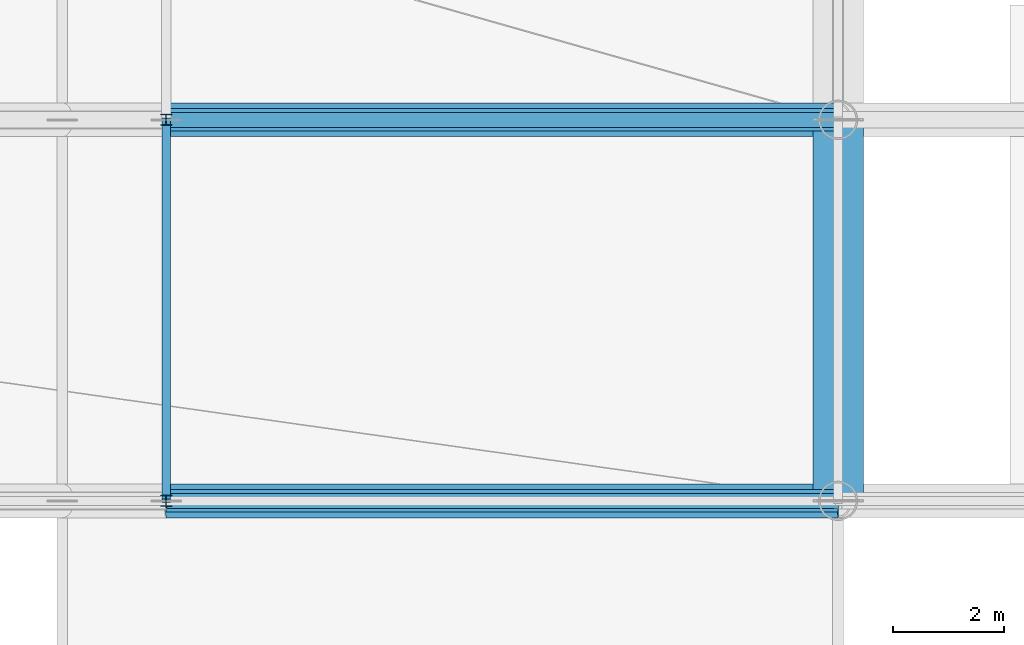
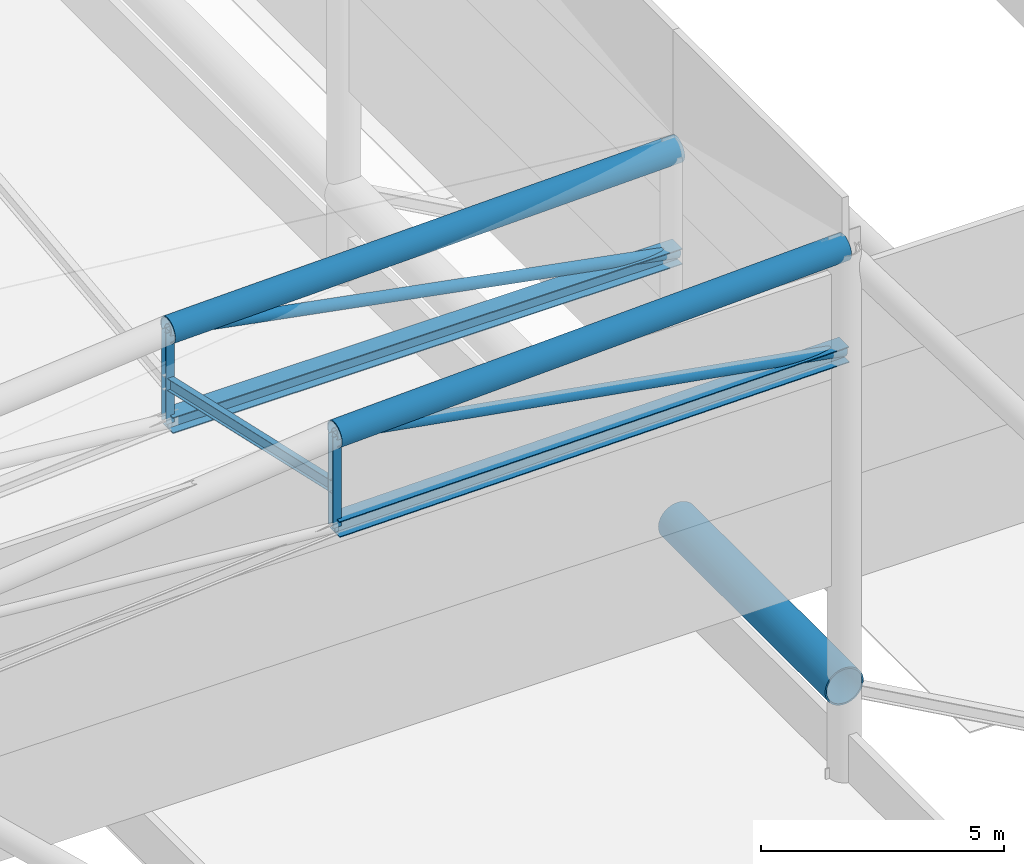
# One storey, part 36 of 113: 9 members, 1 beam.
"""IFC4 building model written with IfcOpenShell, lengths in metres."""

import ifcopenshell
import ifcopenshell.guid

model = None  # the IFC model being written
_history = None  # IfcOwnerHistory: only IFC2X3 demands one
_inside = {}  # id of a spatial element -> (the spatial element, [elements in it])
_under = {}  # id of a project, library or spatial element -> (it, [spatial elements below it])
_declared = {}  # id of a project -> (the project, [libraries it declares])
_typed = {}  # id of a type object -> (the type object, [elements of that type])
_made_of = {}  # id of a material, layer set ... -> (it, [elements and type objects made of it])


def new_model(schema):
    """Start an empty IFC model of exactly this schema.

    Asked for "IFC4X3", IfcOpenShell would pick the latest addendum, in which some entities
    have other attributes; the version numbers below select the first issue.
    IFC2X3 requires an IfcOwnerHistory on every rooted entity: one is made here for all.
    """
    global model, _history
    if schema == "IFC4X3":
        model = ifcopenshell.file(schema_version=(4, 3, 0, 0))
    else:
        model = ifcopenshell.file(schema=schema)
    _inside.clear()
    _under.clear()
    _declared.clear()
    _typed.clear()
    _made_of.clear()
    _history = None
    if model.schema == "IFC2X3":
        org = make("IfcOrganization", Name="unknown")
        user = make(
            "IfcPersonAndOrganization",
            ThePerson=make("IfcPerson", FamilyName="unknown"),
            TheOrganization=org,
        )
        app = make(
            "IfcApplication",
            ApplicationDeveloper=org,
            Version="unknown",
            ApplicationFullName="unknown",
            ApplicationIdentifier="unknown",
        )
        _history = make(
            "IfcOwnerHistory",
            OwningUser=user,
            OwningApplication=app,
            ChangeAction="ADDED",
            CreationDate=0,
        )
    return model


def make(cls, **values):
    """One entity of the class cls with the attributes given. An attribute that is None is left unset."""
    return model.create_entity(
        cls, **{name: value for name, value in values.items() if value is not None}
    )


def rooted(cls, **values):
    """An entity with a GlobalId (a new one), such as an element, a storey or a relation."""
    return make(cls, GlobalId=ifcopenshell.guid.new(), OwnerHistory=_history, **values)


def si_unit(unit_type, name, prefix=None):
    """IfcSIUnit, for example si_unit("LENGTHUNIT", "METRE", prefix="MILLI")."""
    return make("IfcSIUnit", UnitType=unit_type, Prefix=prefix, Name=name)


def assignment(units):
    """IfcUnitAssignment: the units of a project."""
    return None if units is None else make("IfcUnitAssignment", Units=units)


def point(xyz):
    """IfcCartesianPoint."""
    return None if xyz is None else make("IfcCartesianPoint", Coordinates=xyz)


def direction(xyz):
    """IfcDirection."""
    return None if xyz is None else make("IfcDirection", DirectionRatios=xyz)


def frame(location, z_axis=None, x_axis=None):
    """IfcAxis2Placement3D, a coordinate frame: its origin and axes. An axis left out is left unset."""
    return make(
        "IfcAxis2Placement3D",
        Location=point(location),
        Axis=direction(z_axis),
        RefDirection=direction(x_axis),
    )


def frame_2d(location, x_axis=None):
    """IfcAxis2Placement2D, a coordinate frame in the plane: its origin and x axis."""
    return make(
        "IfcAxis2Placement2D", Location=point(location), RefDirection=direction(x_axis)
    )


def origin():
    """The frame at (0, 0, 0) with its axes left unset."""
    return frame((0.0, 0.0, 0.0))


def origin_2d():
    """The frame at (0, 0) in the plane with its x axis left unset."""
    return frame_2d((0.0, 0.0))


def place(relative_to, where):
    """IfcLocalPlacement: puts the frame where relative to a parent placement (None: the world)."""
    return make(
        "IfcLocalPlacement", PlacementRelTo=relative_to, RelativePlacement=where
    )


def context(
    kind, dimensions, precision=None, world=None, true_north=None, identifier=None
):
    """IfcGeometricRepresentationContext, for example the 3D "Model" context."""
    return make(
        "IfcGeometricRepresentationContext",
        ContextIdentifier=identifier,
        ContextType=kind,
        CoordinateSpaceDimension=dimensions,
        Precision=precision,
        WorldCoordinateSystem=world,
        TrueNorth=true_north,
    )


def subcontext(parent, identifier, kind, view, scale=None):
    """IfcGeometricRepresentationSubContext, for example "Body" below "Model"."""
    return make(
        "IfcGeometricRepresentationSubContext",
        ContextIdentifier=identifier,
        ContextType=kind,
        ParentContext=parent,
        TargetScale=scale,
        TargetView=view,
    )


def project(units=None, contexts=None):
    """IfcProject with its units and contexts."""
    return rooted(
        "IfcProject",
        Name="project",
        RepresentationContexts=contexts,
        UnitsInContext=assignment(units),
    )


def spatial(cls, under=None, at=None, **own):
    """A site, building, storey or space (cls), placed at a placement, below another one or the project."""
    s = rooted(cls, ObjectPlacement=at, **own)
    if under is not None:
        _under.setdefault(under.id(), (under, []))[1].append(s)
    return s


def profile(cls, at=None, kind="AREA", **sizes):
    """A parametric profile (cls). Its sizes go by their IFC names, for example OverallWidth=200.0."""
    return make(cls, ProfileType=kind, Position=at, **sizes)


def hollow_circle(**sizes):
    """IfcCircleHollowProfileDef."""
    return profile("IfcCircleHollowProfileDef", **sizes)


def i_section(**sizes):
    """IfcIShapeProfileDef."""
    return profile("IfcIShapeProfileDef", **sizes)


def extrude(swept, where, along, depth):
    """IfcExtrudedAreaSolid: the profile swept, set in the frame where, extruded along a direction by depth."""
    return make(
        "IfcExtrudedAreaSolid",
        SweptArea=swept,
        Position=where,
        ExtrudedDirection=direction(along),
        Depth=depth,
    )


def shape(context_of_items, identifier, shape_type, items):
    """IfcShapeRepresentation: the items that make up one representation, for example the "Body"."""
    return make(
        "IfcShapeRepresentation",
        ContextOfItems=context_of_items,
        RepresentationIdentifier=identifier,
        RepresentationType=shape_type,
        Items=items,
    )


def material(Name=None, Category=None):
    """IfcMaterial."""
    return make("IfcMaterial", Name=Name, Category=Category)


def material_profile(
    of_material, cross_section, Name=None, Category=None, Priority=None
):
    """IfcMaterialProfile: a cross section and its material."""
    return make(
        "IfcMaterialProfile",
        Name=Name,
        Material=of_material,
        Profile=cross_section,
        Priority=Priority,
        Category=Category,
    )


def profile_set(profiles, Name=None, composite=None):
    """IfcMaterialProfileSet."""
    return make(
        "IfcMaterialProfileSet",
        Name=Name,
        MaterialProfiles=profiles,
        CompositeProfile=composite,
    )


def made_of(thing, what):
    """Note that an element or type object is made of a material, layer set ...; save() writes the relation."""
    if what is not None:
        _made_of.setdefault(what.id(), (what, []))[1].append(thing)
    return thing


def type_object(cls, material=None, **own):
    """A type object (cls), such as IfcWallType, which elements share."""
    return made_of(rooted(cls, **own), material)


def element(
    cls,
    number,
    at=None,
    inside=None,
    cuts=None,
    type_object=None,
    material=None,
    context=None,
    identifier="Body",
    shape_type=None,
    held_by="IfcProductDefinitionShape",
    body=None,
    shapes=None,
    **own,
):
    """One element of the class cls, such as IfcWall. Its Tag is "e" and its number.

    at: its placement. inside: the storey or other place that contains it. cuts: it is an
    opening in that element (IfcRelVoidsElement). A single representation is given by context,
    identifier, shape_type and body (its items); several are given by shapes. held_by: the class
    of the entity that holds the representations. save() writes the other relations.
    """
    e = rooted(cls, Tag="e%d" % number, ObjectPlacement=at, **own)
    if body is not None:
        shapes = [shape(context, identifier, shape_type, body)]
    if shapes is not None:
        e.Representation = make(held_by, Representations=shapes)
    if inside is not None:
        _inside.setdefault(inside.id(), (inside, []))[1].append(e)
    if cuts is not None:
        rooted(
            "IfcRelVoidsElement", RelatingBuildingElement=cuts, RelatedOpeningElement=e
        )
    if type_object is not None:
        _typed.setdefault(type_object.id(), (type_object, []))[1].append(e)
    return made_of(e, material)


def aggregate(whole, parts):
    """IfcRelAggregates: a whole, such as a stair, and the parts it consists of."""
    return rooted("IfcRelAggregates", RelatingObject=whole, RelatedObjects=parts)


def save(model, path):
    """Write the relations noted so far, then the file.

    IfcRelAggregates (storeys below a building ...), IfcRelContainedInSpatialStructure (elements
    in a storey), IfcRelDefinesByType, IfcRelAssociatesMaterial and IfcRelDeclares: one each for
    every whole, place, type object, material and project.
    """
    for whole, parts in _under.values():
        aggregate(whole, parts)
    for where, things in _inside.values():
        rooted(
            "IfcRelContainedInSpatialStructure",
            RelatedElements=things,
            RelatingStructure=where,
        )
    for kind, things in _typed.values():
        rooted("IfcRelDefinesByType", RelatedObjects=things, RelatingType=kind)
    for what, things in _made_of.values():
        rooted("IfcRelAssociatesMaterial", RelatedObjects=things, RelatingMaterial=what)
    for by, libraries in _declared.values():
        rooted("IfcRelDeclares", RelatingContext=by, RelatedDefinitions=libraries)
    model.write(path)


model = new_model("IFC4")

# Units and contexts
model_context = context("Model", 3, precision=1e-05, world=origin(), true_north=direction((0.0, 1.0)))
body_context = subcontext(model_context, "Body", "Model", "MODEL_VIEW")
ifc_project = project(units=[si_unit("LENGTHUNIT", "METRE"), si_unit("AREAUNIT", "SQUARE_METRE"), si_unit("VOLUMEUNIT", "CUBIC_METRE"), si_unit("PLANEANGLEUNIT", "RADIAN"), si_unit("MASSUNIT", "GRAM", prefix="KILO")], contexts=[model_context])

# Site, building, storey
site_placement = place(None, origin())
site = spatial("IfcSite", under=ifc_project, at=site_placement, CompositionType="ELEMENT")
building_placement = place(site_placement, origin())
building = spatial("IfcBuilding", under=site, at=building_placement, Name="Linyun Crest Stadium", CompositionType="ELEMENT")
storey_placement = place(building_placement, frame((0.0, 0.0, 26.39990234375)))
storey = spatial("IfcBuildingStorey", under=building, at=storey_placement, Name="L06", CompositionType="ELEMENT", Elevation=26.39990234375)

# Beam
ifc_material_1 = material(Name="Steel Q420C", Category="steel")
ifc_material_profile_1 = material_profile(ifc_material_1, hollow_circle(Radius=0.45703125, WallThickness=0.0380859375, at=origin_2d()), Name="CHS 914x38")
ifc_profile_set_1 = profile_set([ifc_material_profile_1], Name="Steel Q420C")
beam_type = type_object("IfcBeamType", Name="HB02", PredefinedType="USERDEFINED", material=ifc_profile_set_1)
beam_placement = place(storey_placement, frame((84.0, -46.0, 2.18505859375), z_axis=(0.0, 1.0, 0.0), x_axis=(-1.0, 0.0, 0.0)))
element("IfcBeam", 1, at=beam_placement, inside=storey, type_object=beam_type, Name="Roof Outer compression ring beam HB02 V2 16", ObjectType="RING BEAM", PredefinedType="USERDEFINED", context=body_context, shape_type="SweptSolid", body=[
    extrude(hollow_circle(Radius=0.45703125, WallThickness=0.0380859375, at=origin_2d()), origin(), (0.0, 0.0, 1.0), 6.875),
])

# Members
ifc_material_2 = material(Name="Steel Q355B", Category="steel")
ifc_material_profile_2 = material_profile(ifc_material_2, i_section(OverallWidth=0.14990234375, OverallDepth=0.300048828125, WebThickness=0.007080078125, FlangeThickness=0.009033203125, at=origin_2d()), Name="HN 300x150")
ifc_profile_set_2 = profile_set([ifc_material_profile_2], Name="Steel Q355B")
member_type_1 = type_object("IfcMemberType", Name="PR01", PredefinedType="PURLIN", material=ifc_profile_set_2)
member_1_placement = place(storey_placement, frame((71.875, -46.0, 11.466064453125), z_axis=(0.0, 0.975453724525, -0.220204521548), x_axis=(-1.0, 0.0, 0.0)))
element("IfcMember", 2, at=member_1_placement, inside=storey, type_object=member_type_1, Name="Roof canopy purlin PR01 V2 333", PredefinedType="PURLIN", context=body_context, shape_type="SweptSolid", body=[
    extrude(i_section(OverallWidth=0.14990234375, OverallDepth=0.300048828125, WebThickness=0.007080078125, FlangeThickness=0.009033203125, at=origin_2d()), origin(), (0.0, 0.0, 1.0), 7.048095703125),
])
ifc_material_3 = material(Name="Steel Q420C", Category="steel")
ifc_material_profile_3 = material_profile(ifc_material_3, hollow_circle(Radius=0.304931640625, WallThickness=0.030029296875, at=origin_2d()), Name="CHS 610x30")
ifc_profile_set_3 = profile_set([ifc_material_profile_3], Name="Steel Q420C")
member_type_2 = type_object("IfcMemberType", Name="TC02", PredefinedType="CHORD", material=ifc_profile_set_3)
member_2_placement = place(storey_placement, frame((84.0, -46.0, 13.25), z_axis=(-0.999237147613, 0.0, -0.039052821028), x_axis=(0.0, -1.0, 0.0)))
element("IfcMember", 3, at=member_2_placement, inside=storey, type_object=member_type_2, Name="Roof truss top chord TC02 V2 183", PredefinedType="CHORD", context=body_context, shape_type="SweptSolid", body=[
    extrude(hollow_circle(Radius=0.304931640625, WallThickness=0.030029296875, at=origin_2d()), origin(), (0.0, 0.0, 1.0), 12.13427734375),
])
member_3_placement = place(storey_placement, frame((84.0, -39.125, 11.550048828125), z_axis=(-0.999641070748, 0.0, -0.026790477311), x_axis=(0.0, -1.0, 0.0)))
element("IfcMember", 4, at=member_3_placement, inside=storey, type_object=member_type_2, Name="Roof truss top chord TC02 V2 202", PredefinedType="CHORD", context=body_context, shape_type="SweptSolid", body=[
    extrude(hollow_circle(Radius=0.304931640625, WallThickness=0.030029296875, at=origin_2d()), origin(), (0.0, 0.0, 1.0), 12.12939453125),
])
ifc_material_4 = material(Name="Steel Q420C", Category="steel")
ifc_material_profile_4 = material_profile(ifc_material_4, i_section(OverallWidth=0.407958984375, OverallDepth=0.39990234375, WebThickness=0.02099609375, FlangeThickness=0.02099609375, at=origin_2d()), Name="HW 400x408")
ifc_profile_set_4 = profile_set([ifc_material_profile_4], Name="Steel Q420C")
member_type_3 = type_object("IfcMemberType", Name="TC04", PredefinedType="CHORD", material=ifc_profile_set_4)
member_4_placement = place(storey_placement, frame((84.0, -46.0, 10.650146484375), z_axis=(-0.999910635598, 0.0, -0.013368650573), x_axis=(0.0, -1.0, 0.0)))
element("IfcMember", 5, at=member_4_placement, inside=storey, type_object=member_type_3, Name="Roof truss bottom chord TC04 V2 184", PredefinedType="CHORD", context=body_context, shape_type="SweptSolid", body=[
    extrude(i_section(OverallWidth=0.407958984375, OverallDepth=0.39990234375, WebThickness=0.02099609375, FlangeThickness=0.02099609375, at=origin_2d()), origin(), (0.0, 0.0, 1.0), 12.1259765625),
])
member_5_placement = place(storey_placement, frame((84.0, -39.125, 8.9501953125), z_axis=(-0.999999408883, 0.0, -0.001087306058), x_axis=(0.0, -1.0, 0.0)))
element("IfcMember", 6, at=member_5_placement, inside=storey, type_object=member_type_3, Name="Roof truss bottom chord TC04 V2 203", PredefinedType="CHORD", context=body_context, shape_type="SweptSolid", body=[
    extrude(i_section(OverallWidth=0.407958984375, OverallDepth=0.39990234375, WebThickness=0.02099609375, FlangeThickness=0.02099609375, at=origin_2d()), origin(), (0.0, 0.0, 1.0), 12.125),
])
ifc_material_5 = material(Name="Steel Q355C", Category="steel")
ifc_material_profile_5 = material_profile(ifc_material_5, hollow_circle(Radius=0.136474609375, WallThickness=0.013916015625, at=origin_2d()), Name="CHS 273x14")
ifc_profile_set_5 = profile_set([ifc_material_profile_5], Name="Steel Q355C")
member_type_4 = type_object("IfcMemberType", Name="TD01", PredefinedType="BRACE", material=ifc_profile_set_5)
member_6_placement = place(storey_placement, frame((84.0, -46.0, 10.650146484375), z_axis=(-0.98497383844, 0.0, 0.172703611975), x_axis=(0.0, -1.0, 0.0)))
element("IfcMember", 7, at=member_6_placement, inside=storey, type_object=member_type_4, Name="Roof truss diagonal TD01 V2 185", PredefinedType="BRACE", context=body_context, shape_type="SweptSolid", body=[
    extrude(hollow_circle(Radius=0.136474609375, WallThickness=0.013916015625, at=origin_2d()), origin(), (0.0, 0.0, 1.0), 12.31005859375),
])
member_7_placement = place(storey_placement, frame((84.0, -39.125, 8.9501953125), z_axis=(-0.982850672616, 0.0, 0.184403241129), x_axis=(0.0, -1.0, 0.0)))
element("IfcMember", 8, at=member_7_placement, inside=storey, type_object=member_type_4, Name="Roof truss diagonal TD01 V2 204", PredefinedType="BRACE", context=body_context, shape_type="SweptSolid", body=[
    extrude(hollow_circle(Radius=0.136474609375, WallThickness=0.013916015625, at=origin_2d()), origin(), (0.0, 0.0, 1.0), 12.336669921875),
])
ifc_material_6 = material(Name="Steel Q355C", Category="steel")
ifc_material_profile_6 = material_profile(ifc_material_6, i_section(OverallWidth=0.199951171875, OverallDepth=0.199951171875, WebThickness=0.008056640625, FlangeThickness=0.011962890625, at=origin_2d()), Name="HW 200x200")
ifc_profile_set_6 = profile_set([ifc_material_profile_6], Name="Steel Q355C")
member_type_5 = type_object("IfcMemberType", Name="TV02", PredefinedType="STRUT", material=ifc_profile_set_6)
for number, where, z_axis, x_axis, name in (
    (9, (71.875, -46.0, 10.488037109375), (0.0, 0.0, 1.0), (1.0, 0.0, 0.0), "Roof vertical strut TV02 V2 189"),
    (10, (71.875, -39.125, 8.93701171875), (0.0, 0.0, 1.0), (1.0, 0.0, 0.0), "Roof vertical strut TV02 V2 208"),
):
    element("IfcMember", number, at=place(storey_placement, frame(where, z_axis=z_axis, x_axis=x_axis)), inside=storey, type_object=member_type_5, Name=name, PredefinedType="STRUT", context=body_context, shape_type="SweptSolid", body=[
        extrude(i_section(OverallWidth=0.199951171875, OverallDepth=0.199951171875, WebThickness=0.008056640625, FlangeThickness=0.011962890625, at=origin_2d()), origin(), (0.0, 0.0, 1.0), 2.2880859375),
    ])

save(model, "model.ifc")
